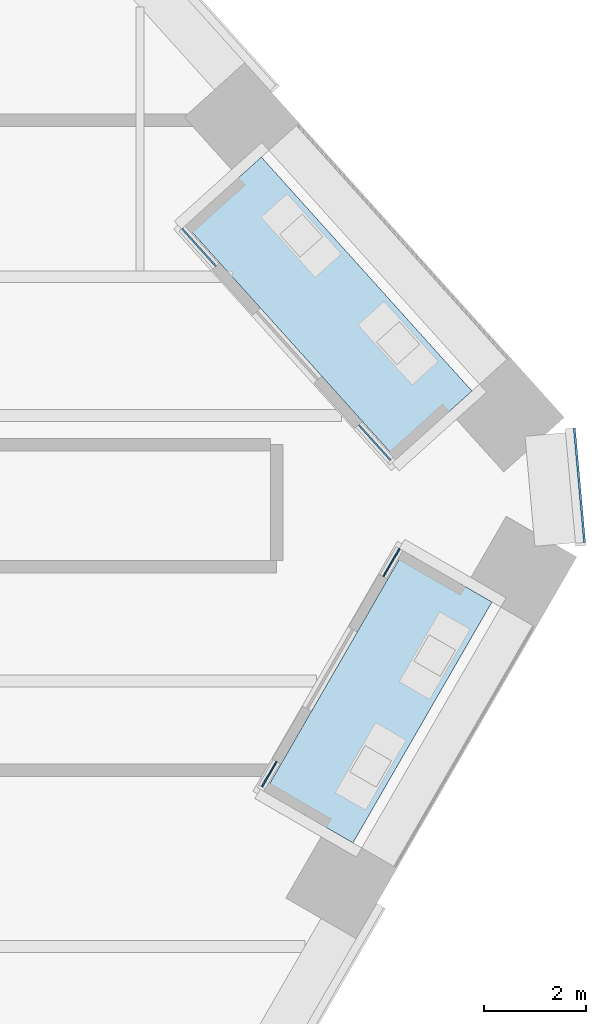
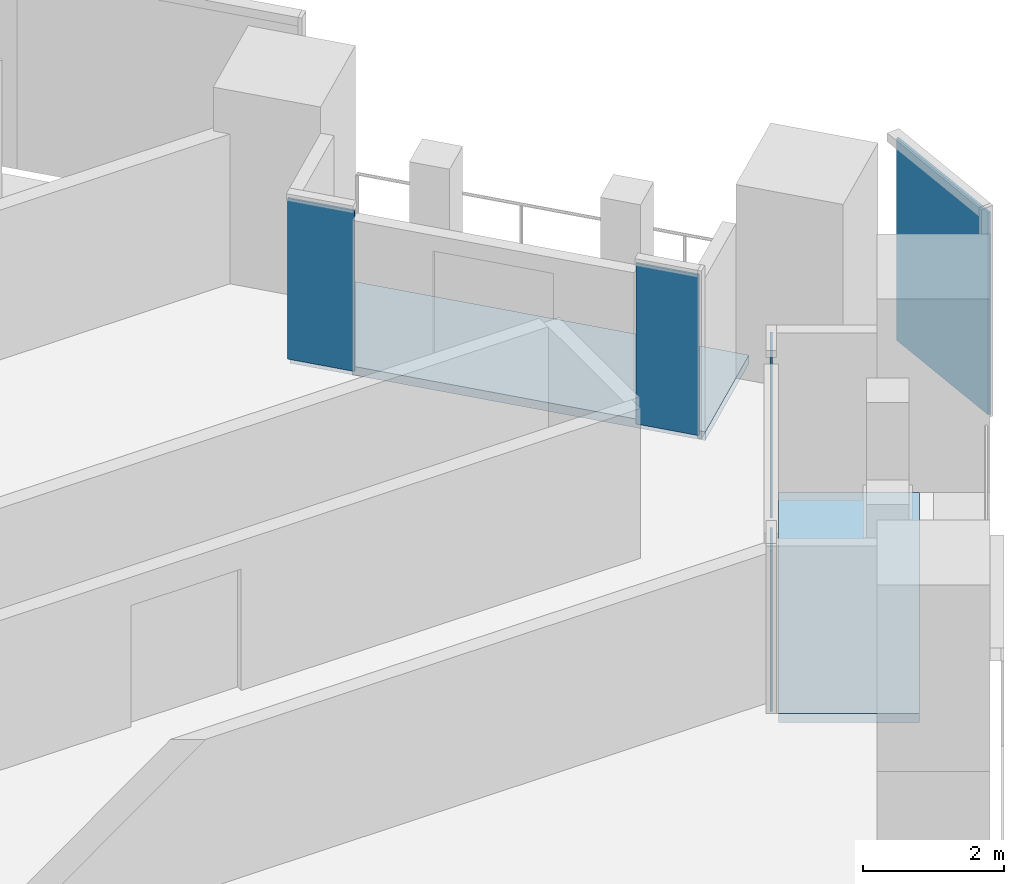
# One storey, part 21 of 31: 5 plates, 2 slabs, 3 elements without a shape of their own.
"""IFC4 building model written with IfcOpenShell, lengths in metres."""

from ifc_helpers import new_model, si_unit, direction, frame, origin, origin_2d, place, context, subcontext, project, spatial, polyline, rectangle, outline, extrude, material, layer, layer_set, type_object, element, aggregate, save


model = new_model("IFC4")

# Units and contexts
model_context = context("Model", 3, precision=1e-05, world=origin(), true_north=direction((0.0, 1.0)))
body_context = subcontext(model_context, "Body", "Model", "MODEL_VIEW")
ifc_project = project(units=[si_unit("LENGTHUNIT", "METRE"), si_unit("AREAUNIT", "SQUARE_METRE"), si_unit("VOLUMEUNIT", "CUBIC_METRE"), si_unit("PLANEANGLEUNIT", "RADIAN"), si_unit("MASSUNIT", "GRAM", prefix="KILO")], contexts=[model_context])

# Site, building, storey
site_placement = place(None, origin())
site = spatial("IfcSite", under=ifc_project, at=site_placement, CompositionType="ELEMENT")
building_placement = place(site_placement, origin())
building = spatial("IfcBuilding", under=site, at=building_placement, Name="Isthmus Gate Tower", CompositionType="ELEMENT")
storey_placement = place(building_placement, frame((0.0, 0.0, 113.5)))
storey = spatial("IfcBuildingStorey", under=building, at=storey_placement, Name="L27", CompositionType="ELEMENT", Elevation=113.5)

# Curtain wall, plate
ifc_material_1 = material(Name="Aluminium, pale champagne anodised", Category="aluminium")
ifc_layer_1 = layer(ifc_material_1, 0.199951171875)
ifc_layer_set_1 = layer_set([ifc_layer_1], Name="CW-1 UNITISED CURTAIN WALL 200 DEEP")
curtain_wall_type_1 = type_object("IfcCurtainWallType", Name="CW-1 UNITISED CURTAIN WALL 200 DEEP", PredefinedType="NOTDEFINED", material=ifc_layer_set_1)
curtain_wall_1_placement = place(storey_placement, origin())
curtain_wall_1 = element("IfcCurtainWall", 1, at=curtain_wall_1_placement, inside=storey, type_object=curtain_wall_type_1, Name="CW-1 SE-NE L27", PredefinedType="NOTDEFINED")
ifc_material_2 = material(Name="Laminated low-iron glass, pale blue tint", Category="glass")
ifc_layer_2 = layer(ifc_material_2, 0.0400390625)
ifc_layer_set_2 = layer_set([ifc_layer_2], Name="CW-1 CLEAR GLASS LITE 40")
plate_type_1 = type_object("IfcPlateType", Name="CW-1 CLEAR GLASS LITE 40", PredefinedType="CURTAIN_PANEL", material=ifc_layer_set_2)
plate_1_placement = place(storey_placement, frame((38.155029296875, 3.403564453125, 0.0), z_axis=(0.0, 0.0, 1.0), x_axis=(-0.089396669717, 0.995996102123, 0.0)))
plate_1 = element("IfcPlate", 2, at=plate_1_placement, type_object=plate_type_1, Name="CW-1 glass lite", PredefinedType="CURTAIN_PANEL", context=body_context, shape_type="SweptSolid", body=[
    extrude(rectangle(XDim=2.258544921875, YDim=0.0400390625, at=origin_2d()), origin(), (0.0, 0.0, 1.0), 3.5),
])
aggregate(curtain_wall_1, [plate_1])

# Curtain wall, plates
ifc_material_3 = material(Name="Aluminium, pale champagne anodised", Category="aluminium")
ifc_layer_3 = layer(ifc_material_3, 0.14990234375)
ifc_layer_set_3 = layer_set([ifc_layer_3], Name="CW-6 LOGGIA BACK WALL GLAZING 150 DEEP")
curtain_wall_type_2 = type_object("IfcCurtainWallType", Name="CW-6 LOGGIA BACK WALL GLAZING 150 DEEP", PredefinedType="NOTDEFINED", material=ifc_layer_set_3)
curtain_wall_2_placement = place(storey_placement, origin())
curtain_wall_2 = element("IfcCurtainWall", 3, at=curtain_wall_2_placement, inside=storey, type_object=curtain_wall_type_2, Name="CW-6 SE L27", PredefinedType="NOTDEFINED")
ifc_material_4 = material(Name="Laminated low-iron glass, clear", Category="glass")
ifc_layer_4 = layer(ifc_material_4, 0.031982421875)
ifc_layer_set_4 = layer_set([ifc_layer_4], Name="CW-6 CLEAR GLASS LITE 32")
plate_type_2 = type_object("IfcPlateType", Name="CW-6 CLEAR GLASS LITE 32", PredefinedType="CURTAIN_PANEL", material=ifc_layer_set_4)
plate_2_placement = place(storey_placement, frame((32.05517578125, -2.27880859375, 0.0), z_axis=(0.0, 0.0, 1.0), x_axis=(0.5, 0.866025403784, 0.0)))
plate_2 = element("IfcPlate", 4, at=plate_2_placement, type_object=plate_type_2, Name="CW-6 glass lite", PredefinedType="CURTAIN_PANEL", context=body_context, shape_type="SweptSolid", body=[
    extrude(rectangle(XDim=0.57470703125, YDim=0.031982421875, at=origin_2d()), origin(), (0.0, 0.0, 1.0), 2.780029296875),
])
plate_3_placement = place(storey_placement, frame((34.45751953125, 1.88232421875, 0.0), z_axis=(0.0, 0.0, 1.0), x_axis=(0.5, 0.866025403784, 0.0)))
plate_3 = element("IfcPlate", 5, at=plate_3_placement, type_object=plate_type_2, Name="CW-6 glass lite", PredefinedType="CURTAIN_PANEL", context=body_context, shape_type="SweptSolid", body=[
    extrude(rectangle(XDim=0.634765625, YDim=0.031982421875, at=origin_2d()), origin(), (0.0, 0.0, 1.0), 2.780029296875),
])
aggregate(curtain_wall_2, [plate_2, plate_3])

curtain_wall_3_placement = place(storey_placement, origin())
curtain_wall_3 = element("IfcCurtainWall", 6, at=curtain_wall_3_placement, inside=storey, type_object=curtain_wall_type_2, Name="CW-6 NE L27", PredefinedType="NOTDEFINED")
plate_4_placement = place(storey_placement, frame((34.12744140625, 4.242919921875, 0.0), z_axis=(0.0, 0.0, 1.0), x_axis=(-0.669130606359, 0.743144825477, 0.0)))
plate_4 = element("IfcPlate", 7, at=plate_4_placement, type_object=plate_type_2, Name="CW-6 glass lite", PredefinedType="CURTAIN_PANEL", context=body_context, shape_type="SweptSolid", body=[
    extrude(rectangle(XDim=0.9345703125, YDim=0.031982421875, at=origin_2d()), origin(), (0.0, 0.0, 1.0), 2.780029296875),
])
plate_5_placement = place(storey_placement, frame((30.671630859375, 8.0810546875, 0.0), z_axis=(0.0, 0.0, 1.0), x_axis=(-0.669130606359, 0.743144825477, 0.0)))
plate_5 = element("IfcPlate", 8, at=plate_5_placement, type_object=plate_type_2, Name="CW-6 glass lite", PredefinedType="CURTAIN_PANEL", context=body_context, shape_type="SweptSolid", body=[
    extrude(rectangle(XDim=0.99462890625, YDim=0.031982421875, at=origin_2d()), origin(), (0.0, 0.0, 1.0), 2.780029296875),
])
aggregate(curtain_wall_3, [plate_4, plate_5])

# Slabs
ifc_material_5 = material(Name="Concrete f'c 50 MPa", Category="concrete")
ifc_layer_5 = layer(ifc_material_5, 0.14990234375)
ifc_layer_set_5 = layer_set([ifc_layer_5], Name="LOGGIA FLOOR SLAB 150")
slab_type = type_object("IfcSlabType", Name="LOGGIA FLOOR SLAB 150", PredefinedType="FLOOR", material=ifc_layer_set_5)
slab_1_placement = place(storey_placement, frame((0.0, 0.0, -0.14990234375)))
element("IfcSlab", 9, at=slab_1_placement, inside=storey, type_object=slab_type, Name="LOGGIA FLOOR", PredefinedType="FLOOR", context=body_context, shape_type="SweptSolid", body=[
    extrude(outline(polyline([(33.7001953125, -3.629638671875), (36.434814453125, 1.107177734375), (34.702880859375, 2.107177734375), (31.968017578125, -2.629638671875), (33.7001953125, -3.629638671875)])), origin(), (0.0, 0.0, 1.0), 0.14990234375),
])
slab_2_placement = place(storey_placement, frame((0.0, 0.0, -0.14990234375)))
element("IfcSlab", 10, at=slab_2_placement, inside=storey, type_object=slab_type, Name="LOGGIA FLOOR", PredefinedType="FLOOR", context=body_context, shape_type="SweptSolid", body=[
    extrude(outline(polyline([(36.041015625, 5.256103515625), (31.8994140625, 9.855712890625), (30.4130859375, 8.517578125), (34.5546875, 3.91796875), (36.041015625, 5.256103515625)])), origin(), (0.0, 0.0, 1.0), 0.14990234375),
])

save(model, "model.ifc")
